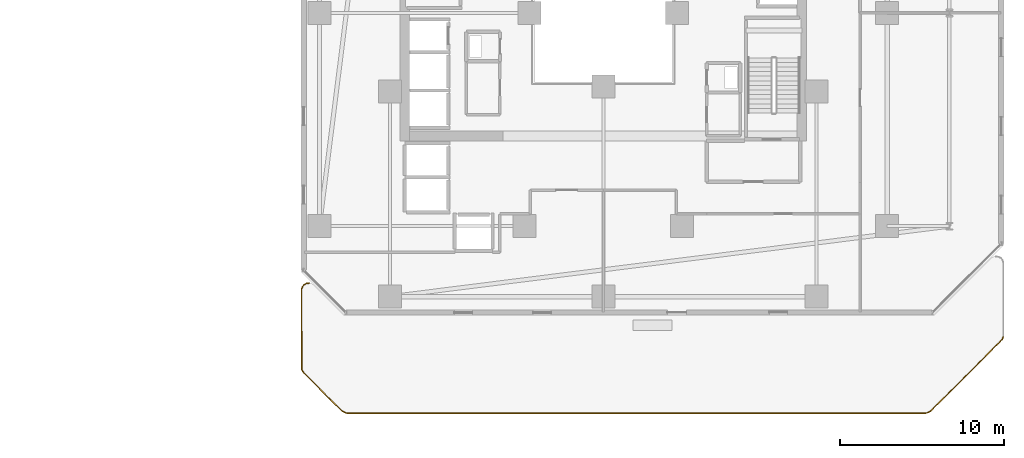
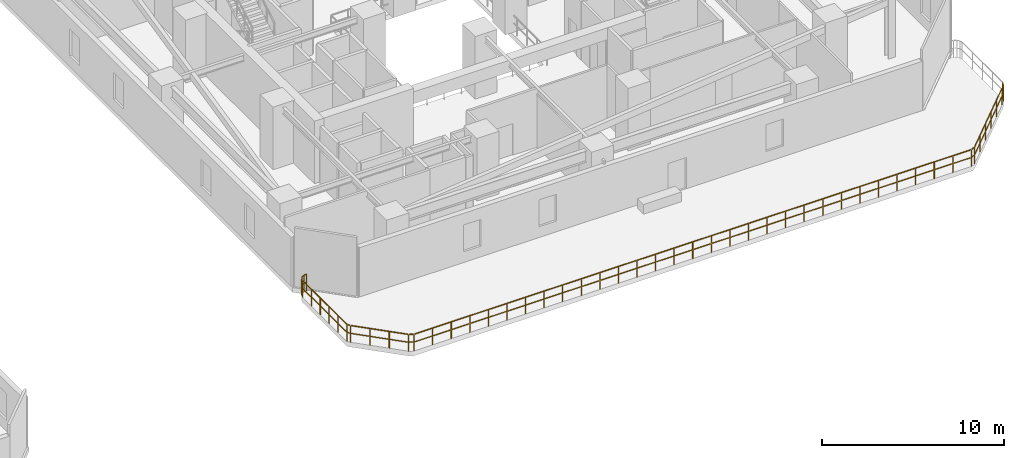
# One storey, part 31 of 33: 1 railing.
"""IFC4 building model written with IfcOpenShell, lengths in metres."""

from ifc_helpers import new_model, si_unit, direction, frame, origin, origin_2d, place, context, subcontext, project, spatial, rectangle, extrude, material, type_object, element, save


model = new_model("IFC4")

# Units and contexts
model_context = context("Model", 3, precision=1e-05, world=origin(), true_north=direction((0.0, 1.0)))
body_context = subcontext(model_context, "Body", "Model", "MODEL_VIEW")
ifc_project = project(units=[si_unit("LENGTHUNIT", "METRE"), si_unit("AREAUNIT", "SQUARE_METRE"), si_unit("VOLUMEUNIT", "CUBIC_METRE"), si_unit("PLANEANGLEUNIT", "RADIAN"), si_unit("MASSUNIT", "GRAM", prefix="KILO")], contexts=[model_context])

# Site, building, storey
site_placement = place(None, origin())
site = spatial("IfcSite", under=ifc_project, at=site_placement, CompositionType="ELEMENT")
building_placement = place(site_placement, origin())
building = spatial("IfcBuilding", under=site, at=building_placement, Name="Thornwick Lancets Civic Towers", CompositionType="ELEMENT")
storey_placement = place(building_placement, frame((0.0, 0.0, 49.5)))
storey = spatial("IfcBuildingStorey", under=building, at=storey_placement, Name="L12", CompositionType="ELEMENT", Elevation=49.5)

# Railing
ifc_material = material(Name="Terracotta-capped laminated glass balustrade S355", Category="masonry")
railing_type = type_object("IfcRailingType", Name="RAIL_TERR_GUARD", PredefinedType="GUARDRAIL", material=ifc_material)
railing_placement = place(storey_placement, frame((112.897705078125, 7.306396484375, 0.0)))
element("IfcRailing", 1, at=railing_placement, inside=storey, type_object=railing_type, Name="L12 Tower B Sky-Garden Guard 1 Part 1", PredefinedType="GUARDRAIL", context=body_context, shape_type="SweptSolid", body=[
    extrude(rectangle(XDim=0.048095703125, YDim=0.048095703125, at=origin_2d()), frame((0.0, 0.0, 1.1259765625), z_axis=(-0.335912186701, -0.94189330756, 0.0), x_axis=(0.94189330756, -0.335912186701, 0.0)), (0.0, 0.0, 1.0), 0.1875),
    extrude(rectangle(XDim=0.0419921875, YDim=0.0419921875, at=origin_2d()), frame((-0.0126953125, -0.035400390625, 0.597900390625), z_axis=(-0.335912186701, -0.94189330756, 0.0), x_axis=(0.94189330756, -0.335912186701, 0.0)), (0.0, 0.0, 1.0), 0.143798828125),
    extrude(rectangle(XDim=0.048095703125, YDim=0.048095703125, at=origin_2d()), frame((-0.094970703125, -0.228759765625, 1.1259765625), z_axis=(-0.688768496029, -0.72498135071, 0.0), x_axis=(0.72498135071, -0.688768496029, 0.0)), (0.0, 0.0, 1.0), 0.274658203125),
    extrude(rectangle(XDim=0.0419921875, YDim=0.0419921875, at=origin_2d()), frame((-0.099365234375, -0.233154296875, 0.597900390625), z_axis=(-0.688768496029, -0.72498135071, 0.0), x_axis=(0.72498135071, -0.688768496029, 0.0)), (0.0, 0.0, 1.0), 0.26220703125),
    extrude(rectangle(XDim=0.048095703125, YDim=0.048095703125, at=origin_2d()), frame((-0.327880859375, -0.47265625, 1.1259765625), z_axis=(-0.707106781187, -0.707106781187, 0.0), x_axis=(0.707106781187, -0.707106781187, 0.0)), (0.0, 0.0, 1.0), 5.77001953125),
    extrude(rectangle(XDim=0.0419921875, YDim=0.0419921875, at=origin_2d()), frame((-0.332275390625, -0.47705078125, 0.597900390625), z_axis=(-0.707106781187, -0.707106781187, 0.0), x_axis=(0.707106781187, -0.707106781187, 0.0)), (0.0, 0.0, 1.0), 1.091552734375),
    extrude(rectangle(XDim=0.0419921875, YDim=0.0419921875, at=origin_2d()), frame((-1.156982421875, -1.3017578125, 0.597900390625), z_axis=(-0.707106781187, -0.707106781187, 0.0), x_axis=(0.707106781187, -0.707106781187, 0.0)), (0.0, 0.0, 1.0), 1.091552734375),
    extrude(rectangle(XDim=0.0419921875, YDim=0.0419921875, at=origin_2d()), frame((-1.98193359375, -2.126708984375, 0.597900390625), z_axis=(-0.707106781187, -0.707106781187, 0.0), x_axis=(0.707106781187, -0.707106781187, 0.0)), (0.0, 0.0, 1.0), 1.091552734375),
    extrude(rectangle(XDim=0.0419921875, YDim=0.0419921875, at=origin_2d()), frame((-2.806640625, -2.951416015625, 0.597900390625), z_axis=(-0.707106781187, -0.707106781187, 0.0), x_axis=(0.707106781187, -0.707106781187, 0.0)), (0.0, 0.0, 1.0), 1.091552734375),
    extrude(rectangle(XDim=0.0419921875, YDim=0.0419921875, at=origin_2d()), frame((-3.631591796875, -3.7763671875, 0.597900390625), z_axis=(-0.707106781187, -0.707106781187, 0.0), x_axis=(0.707106781187, -0.707106781187, 0.0)), (0.0, 0.0, 1.0), 1.091552734375),
    extrude(rectangle(XDim=0.048095703125, YDim=0.048095703125, at=origin_2d()), frame((-4.458251953125, -4.588134765625, 1.1259765625), z_axis=(-0.904343633652, -0.426805098696, 0.0), x_axis=(0.426805098696, -0.904343633652, 0.0)), (0.0, 0.0, 1.0), 0.24072265625),
    extrude(rectangle(XDim=0.0419921875, YDim=0.0419921875, at=origin_2d()), frame((-4.4638671875, -4.5908203125, 0.597900390625), z_axis=(-0.904343633652, -0.426805098696, 0.0), x_axis=(0.426805098696, -0.904343633652, 0.0)), (0.0, 0.0, 1.0), 0.228271484375),
    extrude(rectangle(XDim=0.048095703125, YDim=0.048095703125, at=origin_2d()), frame((-4.7353515625, -4.7041015625, 1.1259765625), z_axis=(-1.0, 0.0, 0.0), x_axis=(0.0, -1.0, 0.0)), (0.0, 0.0, 1.0), 35.288818359375),
    extrude(rectangle(XDim=0.0419921875, YDim=0.0419921875, at=origin_2d()), frame((-4.74169921875, -4.7041015625, 0.597900390625), z_axis=(-1.0, 0.0, 0.0), x_axis=(0.0, -1.0, 0.0)), (0.0, 0.0, 1.0), 1.103271484375),
    extrude(rectangle(XDim=0.0419921875, YDim=0.0419921875, at=origin_2d()), frame((-5.919921875, -4.7041015625, 0.597900390625), z_axis=(-1.0, 0.0, 0.0), x_axis=(0.0, -1.0, 0.0)), (0.0, 0.0, 1.0), 1.103271484375),
    extrude(rectangle(XDim=0.0419921875, YDim=0.0419921875, at=origin_2d()), frame((-7.098388671875, -4.7041015625, 0.597900390625), z_axis=(-1.0, 0.0, 0.0), x_axis=(0.0, -1.0, 0.0)), (0.0, 0.0, 1.0), 1.103271484375),
    extrude(rectangle(XDim=0.0419921875, YDim=0.0419921875, at=origin_2d()), frame((-8.276611328125, -4.7041015625, 0.597900390625), z_axis=(-1.0, 0.0, 0.0), x_axis=(0.0, -1.0, 0.0)), (0.0, 0.0, 1.0), 1.103271484375),
    extrude(rectangle(XDim=0.0419921875, YDim=0.0419921875, at=origin_2d()), frame((-9.455078125, -4.7041015625, 0.597900390625), z_axis=(-1.0, 0.0, 0.0), x_axis=(0.0, -1.0, 0.0)), (0.0, 0.0, 1.0), 1.103271484375),
    extrude(rectangle(XDim=0.0419921875, YDim=0.0419921875, at=origin_2d()), frame((-10.633544921875, -4.7041015625, 0.597900390625), z_axis=(-1.0, 0.0, 0.0), x_axis=(0.0, -1.0, 0.0)), (0.0, 0.0, 1.0), 1.103271484375),
    extrude(rectangle(XDim=0.0419921875, YDim=0.0419921875, at=origin_2d()), frame((-11.811767578125, -4.7041015625, 0.597900390625), z_axis=(-1.0, 0.0, 0.0), x_axis=(0.0, -1.0, 0.0)), (0.0, 0.0, 1.0), 1.103271484375),
    extrude(rectangle(XDim=0.0419921875, YDim=0.0419921875, at=origin_2d()), frame((-12.990234375, -4.7041015625, 0.597900390625), z_axis=(-1.0, 0.0, 0.0), x_axis=(0.0, -1.0, 0.0)), (0.0, 0.0, 1.0), 1.103271484375),
    extrude(rectangle(XDim=0.0419921875, YDim=0.0419921875, at=origin_2d()), frame((-14.168701171875, -4.7041015625, 0.597900390625), z_axis=(-1.0, 0.0, 0.0), x_axis=(0.0, -1.0, 0.0)), (0.0, 0.0, 1.0), 1.103271484375),
    extrude(rectangle(XDim=0.0419921875, YDim=0.0419921875, at=origin_2d()), frame((-15.346923828125, -4.7041015625, 0.597900390625), z_axis=(-1.0, 0.0, 0.0), x_axis=(0.0, -1.0, 0.0)), (0.0, 0.0, 1.0), 1.103271484375),
    extrude(rectangle(XDim=0.0419921875, YDim=0.0419921875, at=origin_2d()), frame((-16.525390625, -4.7041015625, 0.597900390625), z_axis=(-1.0, 0.0, 0.0), x_axis=(0.0, -1.0, 0.0)), (0.0, 0.0, 1.0), 1.103271484375),
    extrude(rectangle(XDim=0.0419921875, YDim=0.0419921875, at=origin_2d()), frame((-17.703857421875, -4.7041015625, 0.597900390625), z_axis=(-1.0, 0.0, 0.0), x_axis=(0.0, -1.0, 0.0)), (0.0, 0.0, 1.0), 1.103271484375),
    extrude(rectangle(XDim=0.0419921875, YDim=0.0419921875, at=origin_2d()), frame((-18.882080078125, -4.7041015625, 0.597900390625), z_axis=(-1.0, 0.0, 0.0), x_axis=(0.0, -1.0, 0.0)), (0.0, 0.0, 1.0), 1.103271484375),
    extrude(rectangle(XDim=0.0419921875, YDim=0.0419921875, at=origin_2d()), frame((-20.060546875, -4.7041015625, 0.597900390625), z_axis=(-1.0, 0.0, 0.0), x_axis=(0.0, -1.0, 0.0)), (0.0, 0.0, 1.0), 1.103271484375),
    extrude(rectangle(XDim=0.0419921875, YDim=0.0419921875, at=origin_2d()), frame((-21.23876953125, -4.7041015625, 0.597900390625), z_axis=(-1.0, 0.0, 0.0), x_axis=(0.0, -1.0, 0.0)), (0.0, 0.0, 1.0), 1.103271484375),
    extrude(rectangle(XDim=0.0419921875, YDim=0.0419921875, at=origin_2d()), frame((-22.417236328125, -4.7041015625, 0.597900390625), z_axis=(-1.0, 0.0, 0.0), x_axis=(0.0, -1.0, 0.0)), (0.0, 0.0, 1.0), 1.103271484375),
    extrude(rectangle(XDim=0.0419921875, YDim=0.0419921875, at=origin_2d()), frame((-23.595703125, -4.7041015625, 0.597900390625), z_axis=(-1.0, 0.0, 0.0), x_axis=(0.0, -1.0, 0.0)), (0.0, 0.0, 1.0), 1.103271484375),
    extrude(rectangle(XDim=0.0419921875, YDim=0.0419921875, at=origin_2d()), frame((-24.77392578125, -4.7041015625, 0.597900390625), z_axis=(-1.0, 0.0, 0.0), x_axis=(0.0, -1.0, 0.0)), (0.0, 0.0, 1.0), 1.103271484375),
    extrude(rectangle(XDim=0.0419921875, YDim=0.0419921875, at=origin_2d()), frame((-25.952392578125, -4.7041015625, 0.597900390625), z_axis=(-1.0, 0.0, 0.0), x_axis=(0.0, -1.0, 0.0)), (0.0, 0.0, 1.0), 1.103271484375),
    extrude(rectangle(XDim=0.0419921875, YDim=0.0419921875, at=origin_2d()), frame((-27.130859375, -4.7041015625, 0.597900390625), z_axis=(-1.0, 0.0, 0.0), x_axis=(0.0, -1.0, 0.0)), (0.0, 0.0, 1.0), 1.103271484375),
    extrude(rectangle(XDim=0.0419921875, YDim=0.0419921875, at=origin_2d()), frame((-28.30908203125, -4.7041015625, 0.597900390625), z_axis=(-1.0, 0.0, 0.0), x_axis=(0.0, -1.0, 0.0)), (0.0, 0.0, 1.0), 1.103271484375),
    extrude(rectangle(XDim=0.0419921875, YDim=0.0419921875, at=origin_2d()), frame((-29.487548828125, -4.7041015625, 0.597900390625), z_axis=(-1.0, 0.0, 0.0), x_axis=(0.0, -1.0, 0.0)), (0.0, 0.0, 1.0), 1.103271484375),
    extrude(rectangle(XDim=0.0419921875, YDim=0.0419921875, at=origin_2d()), frame((-30.666015625, -4.7041015625, 0.597900390625), z_axis=(-1.0, 0.0, 0.0), x_axis=(0.0, -1.0, 0.0)), (0.0, 0.0, 1.0), 1.103271484375),
    extrude(rectangle(XDim=0.0419921875, YDim=0.0419921875, at=origin_2d()), frame((-31.84423828125, -4.7041015625, 0.597900390625), z_axis=(-1.0, 0.0, 0.0), x_axis=(0.0, -1.0, 0.0)), (0.0, 0.0, 1.0), 1.103271484375),
    extrude(rectangle(XDim=0.0419921875, YDim=0.0419921875, at=origin_2d()), frame((-33.022705078125, -4.7041015625, 0.597900390625), z_axis=(-1.0, 0.0, 0.0), x_axis=(0.0, -1.0, 0.0)), (0.0, 0.0, 1.0), 1.103271484375),
    extrude(rectangle(XDim=0.0419921875, YDim=0.0419921875, at=origin_2d()), frame((-34.200927734375, -4.7041015625, 0.597900390625), z_axis=(-1.0, 0.0, 0.0), x_axis=(0.0, -1.0, 0.0)), (0.0, 0.0, 1.0), 1.103271484375),
    extrude(rectangle(XDim=0.0419921875, YDim=0.0419921875, at=origin_2d()), frame((-35.37939453125, -4.7041015625, 0.597900390625), z_axis=(-1.0, 0.0, 0.0), x_axis=(0.0, -1.0, 0.0)), (0.0, 0.0, 1.0), 1.103271484375),
    extrude(rectangle(XDim=0.0419921875, YDim=0.0419921875, at=origin_2d()), frame((-36.557861328125, -4.7041015625, 0.597900390625), z_axis=(-1.0, 0.0, 0.0), x_axis=(0.0, -1.0, 0.0)), (0.0, 0.0, 1.0), 1.103271484375),
    extrude(rectangle(XDim=0.0419921875, YDim=0.0419921875, at=origin_2d()), frame((-37.736083984375, -4.7041015625, 0.597900390625), z_axis=(-1.0, 0.0, 0.0), x_axis=(0.0, -1.0, 0.0)), (0.0, 0.0, 1.0), 1.103271484375),
    extrude(rectangle(XDim=0.0419921875, YDim=0.0419921875, at=origin_2d()), frame((-38.91455078125, -4.7041015625, 0.597900390625), z_axis=(-1.0, 0.0, 0.0), x_axis=(0.0, -1.0, 0.0)), (0.0, 0.0, 1.0), 1.103271484375),
    extrude(rectangle(XDim=0.048095703125, YDim=0.048095703125, at=origin_2d()), frame((-40.083740234375, -4.690673828125, 1.1259765625), z_axis=(-0.904343633652, 0.426805098696, 0.0), x_axis=(-0.426805098696, -0.904343633652, 0.0)), (0.0, 0.0, 1.0), 0.24072265625),
    extrude(rectangle(XDim=0.0419921875, YDim=0.0419921875, at=origin_2d()), frame((-40.08935546875, -4.68798828125, 0.597900390625), z_axis=(-0.904343633652, 0.426805098696, 0.0), x_axis=(-0.426805098696, -0.904343633652, 0.0)), (0.0, 0.0, 1.0), 0.228271484375),
    extrude(rectangle(XDim=0.048095703125, YDim=0.048095703125, at=origin_2d()), frame((-40.351806640625, -4.552490234375, 1.1259765625), z_axis=(-0.707106781187, 0.707106781187, 0.0), x_axis=(-0.707106781187, -0.707106781187, 0.0)), (0.0, 0.0, 1.0), 3.24169921875),
    extrude(rectangle(XDim=0.0419921875, YDim=0.0419921875, at=origin_2d()), frame((-40.356201171875, -4.548095703125, 0.597900390625), z_axis=(-0.707106781187, 0.707106781187, 0.0), x_axis=(-0.707106781187, -0.707106781187, 0.0)), (0.0, 0.0, 1.0), 1.0263671875),
    extrude(rectangle(XDim=0.0419921875, YDim=0.0419921875, at=origin_2d()), frame((-41.135009765625, -3.769287109375, 0.597900390625), z_axis=(-0.707106781187, 0.707106781187, 0.0), x_axis=(-0.707106781187, -0.707106781187, 0.0)), (0.0, 0.0, 1.0), 1.0263671875),
    extrude(rectangle(XDim=0.0419921875, YDim=0.0419921875, at=origin_2d()), frame((-41.913818359375, -2.990478515625, 0.597900390625), z_axis=(-0.707106781187, 0.707106781187, 0.0), x_axis=(-0.707106781187, -0.707106781187, 0.0)), (0.0, 0.0, 1.0), 1.0263671875),
    extrude(rectangle(XDim=0.048095703125, YDim=0.048095703125, at=origin_2d()), frame((-42.68212890625, -2.21142578125, 1.1259765625), z_axis=(-0.513346500392, 0.858181432178, 0.0), x_axis=(-0.858181432178, -0.513346500392, 0.0)), (0.0, 0.0, 1.0), 0.15625),
    extrude(rectangle(XDim=0.0419921875, YDim=0.0419921875, at=origin_2d()), frame((-42.685302734375, -2.2060546875, 0.597900390625), z_axis=(-0.513346500392, 0.858181432178, 0.0), x_axis=(-0.858181432178, -0.513346500392, 0.0)), (0.0, 0.0, 1.0), 0.143798828125),
    extrude(rectangle(XDim=0.048095703125, YDim=0.048095703125, at=origin_2d()), frame((-42.7783203125, -2.019287109375, 1.1259765625), z_axis=(-0.003506641099, 0.999993851715, 0.0), x_axis=(-0.999993851715, -0.003506641099, 0.0)), (0.0, 0.0, 1.0), 4.81103515625),
    extrude(rectangle(XDim=0.0419921875, YDim=0.0419921875, at=origin_2d()), frame((-42.778564453125, -2.012939453125, 0.597900390625), z_axis=(-0.003506641099, 0.999993851715, 0.0), x_axis=(-0.999993851715, -0.003506641099, 0.0)), (0.0, 0.0, 1.0), 0.899658203125),
    extrude(rectangle(XDim=0.0419921875, YDim=0.0419921875, at=origin_2d()), frame((-42.781982421875, -1.038330078125, 0.597900390625), z_axis=(-0.003506641099, 0.999993851715, 0.0), x_axis=(-0.999993851715, -0.003506641099, 0.0)), (0.0, 0.0, 1.0), 0.899658203125),
    extrude(rectangle(XDim=0.0419921875, YDim=0.0419921875, at=origin_2d()), frame((-42.785400390625, -0.063720703125, 0.597900390625), z_axis=(-0.003506641099, 0.999993851715, 0.0), x_axis=(-0.999993851715, -0.003506641099, 0.0)), (0.0, 0.0, 1.0), 0.899658203125),
    extrude(rectangle(XDim=0.0419921875, YDim=0.0419921875, at=origin_2d()), frame((-42.788818359375, 0.9111328125, 0.597900390625), z_axis=(-0.003506641099, 0.999993851715, 0.0), x_axis=(-0.999993851715, -0.003506641099, 0.0)), (0.0, 0.0, 1.0), 0.899658203125),
    extrude(rectangle(XDim=0.0419921875, YDim=0.0419921875, at=origin_2d()), frame((-42.792236328125, 1.8857421875, 0.597900390625), z_axis=(-0.003506641099, 0.999993851715, 0.0), x_axis=(-0.999993851715, -0.003506641099, 0.0)), (0.0, 0.0, 1.0), 0.899658203125),
    extrude(rectangle(XDim=0.048095703125, YDim=0.048095703125, at=origin_2d()), frame((-42.786376953125, 2.85302734375, 1.1259765625), z_axis=(0.289389501276, 0.957211427299, 0.0), x_axis=(-0.957211427299, 0.289389501276, 0.0)), (0.0, 0.0, 1.0), 0.113037109375),
    extrude(rectangle(XDim=0.0419921875, YDim=0.0419921875, at=origin_2d()), frame((-42.78466796875, 2.85888671875, 0.597900390625), z_axis=(0.289389501276, 0.957211427299, 0.0), x_axis=(-0.957211427299, 0.289389501276, 0.0)), (0.0, 0.0, 1.0), 0.1005859375),
    extrude(rectangle(XDim=0.048095703125, YDim=0.048095703125, at=origin_2d()), frame((-42.724853515625, 3.01513671875, 1.1259765625), z_axis=(0.634146109242, 0.773213238462, 0.0), x_axis=(-0.773213238462, 0.634146109242, 0.0)), (0.0, 0.0, 1.0), 0.113037109375),
    extrude(rectangle(XDim=0.0419921875, YDim=0.0419921875, at=origin_2d()), frame((-42.720947265625, 3.02001953125, 0.597900390625), z_axis=(0.634146109242, 0.773213238462, 0.0), x_axis=(-0.773213238462, 0.634146109242, 0.0)), (0.0, 0.0, 1.0), 0.1005859375),
    extrude(rectangle(XDim=0.048095703125, YDim=0.048095703125, at=origin_2d()), frame((-42.605712890625, 3.141357421875, 1.1259765625), z_axis=(0.882160586654, 0.470948722639, 0.0), x_axis=(-0.470948722639, 0.882160586654, 0.0)), (0.0, 0.0, 1.0), 0.11328125),
    extrude(rectangle(XDim=0.0419921875, YDim=0.0419921875, at=origin_2d()), frame((-42.600341796875, 3.144287109375, 0.597900390625), z_axis=(0.882160586654, 0.470948722639, 0.0), x_axis=(-0.470948722639, 0.882160586654, 0.0)), (0.0, 0.0, 1.0), 0.100830078125),
    extrude(rectangle(XDim=0.048095703125, YDim=0.048095703125, at=origin_2d()), frame((-42.447265625, 3.21240234375, 1.1259765625), z_axis=(0.99556264392, 0.094101126617, 0.0), x_axis=(-0.094101126617, 0.99556264392, 0.0)), (0.0, 0.0, 1.0), 0.147705078125),
    extrude(rectangle(XDim=0.0419921875, YDim=0.0419921875, at=origin_2d()), frame((-42.44091796875, 3.212890625, 0.597900390625), z_axis=(0.99556264392, 0.094101126617, 0.0), x_axis=(-0.094101126617, 0.99556264392, 0.0)), (0.0, 0.0, 1.0), 0.10400390625),
    extrude(rectangle(XDim=0.0419921875, YDim=0.0419921875, at=origin_2d()), origin(), (0.0, 0.0, 1.0), 1.095703125),
    extrude(rectangle(XDim=0.0419921875, YDim=0.0419921875, at=origin_2d()), frame((-0.073486328125, -0.2060546875, 0.0)), (0.0, 0.0, 1.0), 1.095703125),
    extrude(rectangle(XDim=0.0419921875, YDim=0.0419921875, at=origin_2d()), frame((-0.3056640625, -0.450439453125, 0.0)), (0.0, 0.0, 1.0), 1.095703125),
    extrude(rectangle(XDim=0.0419921875, YDim=0.0419921875, at=origin_2d()), frame((-1.130615234375, -1.275390625, 0.0)), (0.0, 0.0, 1.0), 1.095703125),
    extrude(rectangle(XDim=0.0419921875, YDim=0.0419921875, at=origin_2d()), frame((-1.955322265625, -2.10009765625, 0.0)), (0.0, 0.0, 1.0), 1.095703125),
    extrude(rectangle(XDim=0.0419921875, YDim=0.0419921875, at=origin_2d()), frame((-2.7802734375, -2.925048828125, 0.0)), (0.0, 0.0, 1.0), 1.095703125),
    extrude(rectangle(XDim=0.0419921875, YDim=0.0419921875, at=origin_2d()), frame((-3.60498046875, -3.749755859375, 0.0)), (0.0, 0.0, 1.0), 1.095703125),
    extrude(rectangle(XDim=0.0419921875, YDim=0.0419921875, at=origin_2d()), frame((-4.429931640625, -4.57470703125, 0.0)), (0.0, 0.0, 1.0), 1.095703125),
    extrude(rectangle(XDim=0.0419921875, YDim=0.0419921875, at=origin_2d()), frame((-4.7041015625, -4.7041015625, 0.0)), (0.0, 0.0, 1.0), 1.095703125),
    extrude(rectangle(XDim=0.0419921875, YDim=0.0419921875, at=origin_2d()), frame((-5.882568359375, -4.7041015625, 0.0)), (0.0, 0.0, 1.0), 1.095703125),
    extrude(rectangle(XDim=0.0419921875, YDim=0.0419921875, at=origin_2d()), frame((-7.060791015625, -4.7041015625, 0.0)), (0.0, 0.0, 1.0), 1.095703125),
    extrude(rectangle(XDim=0.0419921875, YDim=0.0419921875, at=origin_2d()), frame((-8.2392578125, -4.7041015625, 0.0)), (0.0, 0.0, 1.0), 1.095703125),
    extrude(rectangle(XDim=0.0419921875, YDim=0.0419921875, at=origin_2d()), frame((-9.417724609375, -4.7041015625, 0.0)), (0.0, 0.0, 1.0), 1.095703125),
    extrude(rectangle(XDim=0.0419921875, YDim=0.0419921875, at=origin_2d()), frame((-10.595947265625, -4.7041015625, 0.0)), (0.0, 0.0, 1.0), 1.095703125),
    extrude(rectangle(XDim=0.0419921875, YDim=0.0419921875, at=origin_2d()), frame((-11.7744140625, -4.7041015625, 0.0)), (0.0, 0.0, 1.0), 1.095703125),
    extrude(rectangle(XDim=0.0419921875, YDim=0.0419921875, at=origin_2d()), frame((-12.95263671875, -4.7041015625, 0.0)), (0.0, 0.0, 1.0), 1.095703125),
    extrude(rectangle(XDim=0.0419921875, YDim=0.0419921875, at=origin_2d()), frame((-14.131103515625, -4.7041015625, 0.0)), (0.0, 0.0, 1.0), 1.095703125),
    extrude(rectangle(XDim=0.0419921875, YDim=0.0419921875, at=origin_2d()), frame((-15.3095703125, -4.7041015625, 0.0)), (0.0, 0.0, 1.0), 1.095703125),
    extrude(rectangle(XDim=0.0419921875, YDim=0.0419921875, at=origin_2d()), frame((-16.48779296875, -4.7041015625, 0.0)), (0.0, 0.0, 1.0), 1.095703125),
    extrude(rectangle(XDim=0.0419921875, YDim=0.0419921875, at=origin_2d()), frame((-17.666259765625, -4.7041015625, 0.0)), (0.0, 0.0, 1.0), 1.095703125),
    extrude(rectangle(XDim=0.0419921875, YDim=0.0419921875, at=origin_2d()), frame((-18.8447265625, -4.7041015625, 0.0)), (0.0, 0.0, 1.0), 1.095703125),
    extrude(rectangle(XDim=0.0419921875, YDim=0.0419921875, at=origin_2d()), frame((-20.02294921875, -4.7041015625, 0.0)), (0.0, 0.0, 1.0), 1.095703125),
    extrude(rectangle(XDim=0.0419921875, YDim=0.0419921875, at=origin_2d()), frame((-21.201416015625, -4.7041015625, 0.0)), (0.0, 0.0, 1.0), 1.095703125),
    extrude(rectangle(XDim=0.0419921875, YDim=0.0419921875, at=origin_2d()), frame((-22.3798828125, -4.7041015625, 0.0)), (0.0, 0.0, 1.0), 1.095703125),
    extrude(rectangle(XDim=0.0419921875, YDim=0.0419921875, at=origin_2d()), frame((-23.55810546875, -4.7041015625, 0.0)), (0.0, 0.0, 1.0), 1.095703125),
    extrude(rectangle(XDim=0.0419921875, YDim=0.0419921875, at=origin_2d()), frame((-24.736572265625, -4.7041015625, 0.0)), (0.0, 0.0, 1.0), 1.095703125),
    extrude(rectangle(XDim=0.0419921875, YDim=0.0419921875, at=origin_2d()), frame((-25.914794921875, -4.7041015625, 0.0)), (0.0, 0.0, 1.0), 1.095703125),
    extrude(rectangle(XDim=0.0419921875, YDim=0.0419921875, at=origin_2d()), frame((-27.09326171875, -4.7041015625, 0.0)), (0.0, 0.0, 1.0), 1.095703125),
    extrude(rectangle(XDim=0.0419921875, YDim=0.0419921875, at=origin_2d()), frame((-28.271728515625, -4.7041015625, 0.0)), (0.0, 0.0, 1.0), 1.095703125),
    extrude(rectangle(XDim=0.0419921875, YDim=0.0419921875, at=origin_2d()), frame((-29.449951171875, -4.7041015625, 0.0)), (0.0, 0.0, 1.0), 1.095703125),
    extrude(rectangle(XDim=0.0419921875, YDim=0.0419921875, at=origin_2d()), frame((-30.62841796875, -4.7041015625, 0.0)), (0.0, 0.0, 1.0), 1.095703125),
    extrude(rectangle(XDim=0.0419921875, YDim=0.0419921875, at=origin_2d()), frame((-31.806884765625, -4.7041015625, 0.0)), (0.0, 0.0, 1.0), 1.095703125),
    extrude(rectangle(XDim=0.0419921875, YDim=0.0419921875, at=origin_2d()), frame((-32.985107421875, -4.7041015625, 0.0)), (0.0, 0.0, 1.0), 1.095703125),
    extrude(rectangle(XDim=0.0419921875, YDim=0.0419921875, at=origin_2d()), frame((-34.16357421875, -4.7041015625, 0.0)), (0.0, 0.0, 1.0), 1.095703125),
    extrude(rectangle(XDim=0.0419921875, YDim=0.0419921875, at=origin_2d()), frame((-35.341796875, -4.7041015625, 0.0)), (0.0, 0.0, 1.0), 1.095703125),
    extrude(rectangle(XDim=0.0419921875, YDim=0.0419921875, at=origin_2d()), frame((-36.520263671875, -4.7041015625, 0.0)), (0.0, 0.0, 1.0), 1.095703125),
    extrude(rectangle(XDim=0.0419921875, YDim=0.0419921875, at=origin_2d()), frame((-37.69873046875, -4.7041015625, 0.0)), (0.0, 0.0, 1.0), 1.095703125),
    extrude(rectangle(XDim=0.0419921875, YDim=0.0419921875, at=origin_2d()), frame((-38.876953125, -4.7041015625, 0.0)), (0.0, 0.0, 1.0), 1.095703125),
    extrude(rectangle(XDim=0.0419921875, YDim=0.0419921875, at=origin_2d()), frame((-40.055419921875, -4.7041015625, 0.0)), (0.0, 0.0, 1.0), 1.095703125),
    extrude(rectangle(XDim=0.0419921875, YDim=0.0419921875, at=origin_2d()), frame((-40.32958984375, -4.57470703125, 0.0)), (0.0, 0.0, 1.0), 1.095703125),
    extrude(rectangle(XDim=0.0419921875, YDim=0.0419921875, at=origin_2d()), frame((-41.1083984375, -3.7958984375, 0.0)), (0.0, 0.0, 1.0), 1.095703125),
    extrude(rectangle(XDim=0.0419921875, YDim=0.0419921875, at=origin_2d()), frame((-41.88720703125, -3.01708984375, 0.0)), (0.0, 0.0, 1.0), 1.095703125),
    extrude(rectangle(XDim=0.0419921875, YDim=0.0419921875, at=origin_2d()), frame((-42.666015625, -2.23828125, 0.0)), (0.0, 0.0, 1.0), 1.095703125),
    extrude(rectangle(XDim=0.0419921875, YDim=0.0419921875, at=origin_2d()), frame((-42.7783203125, -2.050537109375, 0.0)), (0.0, 0.0, 1.0), 1.095703125),
    extrude(rectangle(XDim=0.0419921875, YDim=0.0419921875, at=origin_2d()), frame((-42.78173828125, -1.075927734375, 0.0)), (0.0, 0.0, 1.0), 1.095703125),
    extrude(rectangle(XDim=0.0419921875, YDim=0.0419921875, at=origin_2d()), frame((-42.78515625, -0.10107421875, 0.0)), (0.0, 0.0, 1.0), 1.095703125),
    extrude(rectangle(XDim=0.0419921875, YDim=0.0419921875, at=origin_2d()), frame((-42.78857421875, 0.87353515625, 0.0)), (0.0, 0.0, 1.0), 1.095703125),
    extrude(rectangle(XDim=0.0419921875, YDim=0.0419921875, at=origin_2d()), frame((-42.7919921875, 1.848388671875, 0.0)), (0.0, 0.0, 1.0), 1.095703125),
    extrude(rectangle(XDim=0.0419921875, YDim=0.0419921875, at=origin_2d()), frame((-42.79541015625, 2.822998046875, 0.0)), (0.0, 0.0, 1.0), 1.095703125),
    extrude(rectangle(XDim=0.0419921875, YDim=0.0419921875, at=origin_2d()), frame((-42.74462890625, 2.990966796875, 0.0)), (0.0, 0.0, 1.0), 1.095703125),
    extrude(rectangle(XDim=0.0419921875, YDim=0.0419921875, at=origin_2d()), frame((-42.63330078125, 3.126708984375, 0.0)), (0.0, 0.0, 1.0), 1.095703125),
    extrude(rectangle(XDim=0.0419921875, YDim=0.0419921875, at=origin_2d()), frame((-42.478271484375, 3.20947265625, 0.0)), (0.0, 0.0, 1.0), 1.095703125),
    extrude(rectangle(XDim=0.0419921875, YDim=0.0419921875, at=origin_2d()), frame((-42.300048828125, 3.226318359375, 0.0)), (0.0, 0.0, 1.0), 1.095703125),
])

save(model, "model.ifc")
